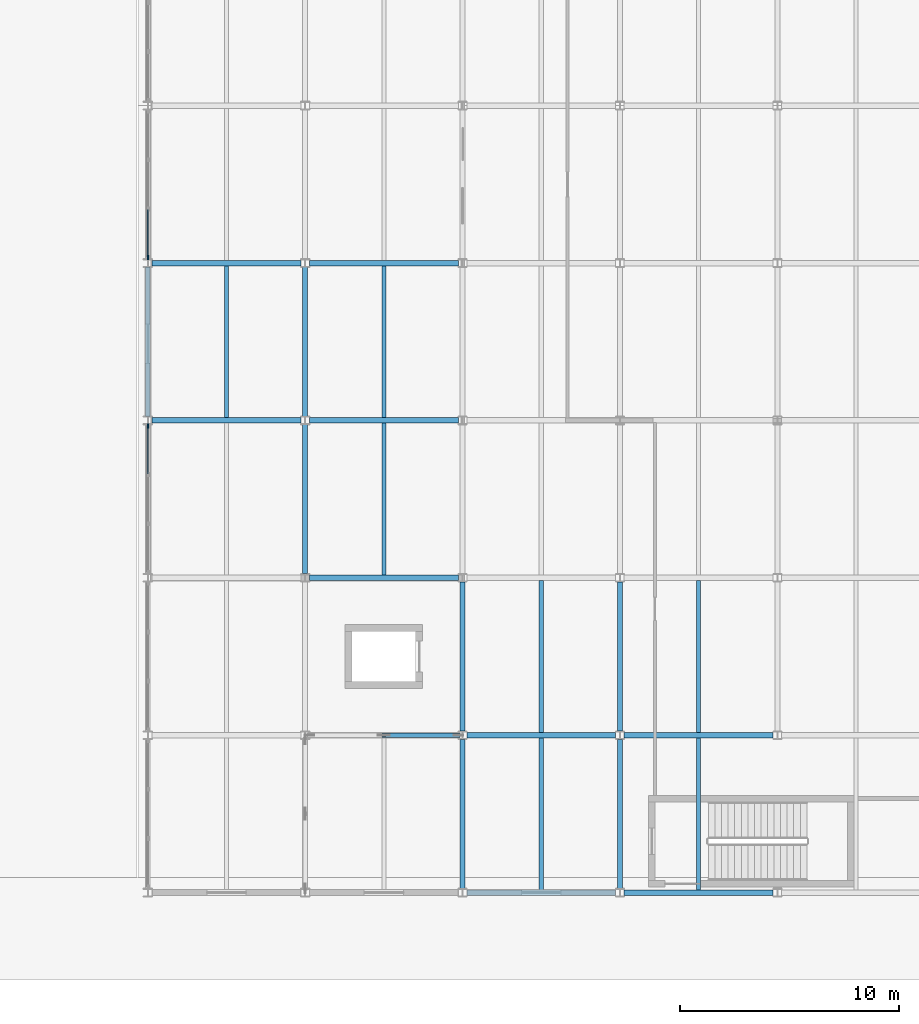
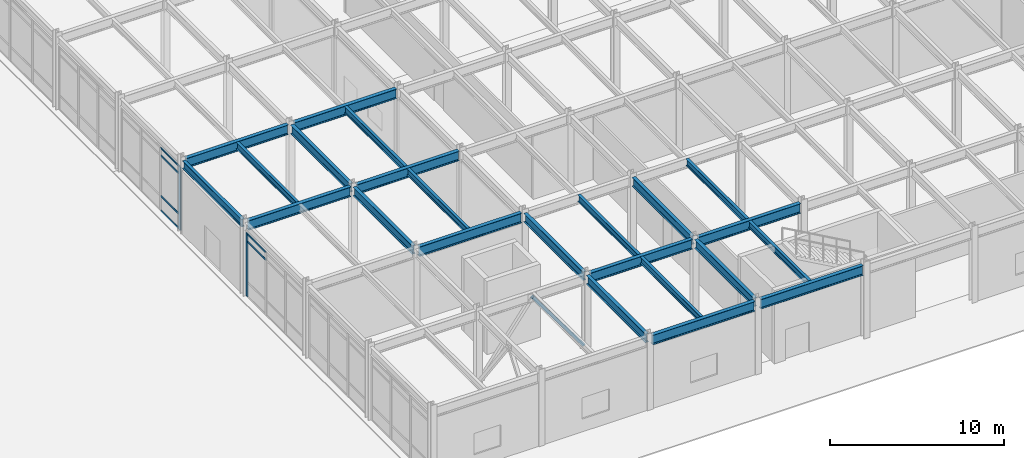
# One storey, part 42 of 104: 23 beams, 9 members, 2 elements without a shape of their own.
"""IFC4 building model written with IfcOpenShell, lengths in metres."""

import ifcopenshell
import ifcopenshell.guid

model = None  # the IFC model being written
_history = None  # IfcOwnerHistory: only IFC2X3 demands one
_inside = {}  # id of a spatial element -> (the spatial element, [elements in it])
_under = {}  # id of a project, library or spatial element -> (it, [spatial elements below it])
_declared = {}  # id of a project -> (the project, [libraries it declares])
_typed = {}  # id of a type object -> (the type object, [elements of that type])
_made_of = {}  # id of a material, layer set ... -> (it, [elements and type objects made of it])


def new_model(schema):
    """Start an empty IFC model of exactly this schema.

    Asked for "IFC4X3", IfcOpenShell would pick the latest addendum, in which some entities
    have other attributes; the version numbers below select the first issue.
    IFC2X3 requires an IfcOwnerHistory on every rooted entity: one is made here for all.
    """
    global model, _history
    if schema == "IFC4X3":
        model = ifcopenshell.file(schema_version=(4, 3, 0, 0))
    else:
        model = ifcopenshell.file(schema=schema)
    _inside.clear()
    _under.clear()
    _declared.clear()
    _typed.clear()
    _made_of.clear()
    _history = None
    if model.schema == "IFC2X3":
        org = make("IfcOrganization", Name="unknown")
        user = make(
            "IfcPersonAndOrganization",
            ThePerson=make("IfcPerson", FamilyName="unknown"),
            TheOrganization=org,
        )
        app = make(
            "IfcApplication",
            ApplicationDeveloper=org,
            Version="unknown",
            ApplicationFullName="unknown",
            ApplicationIdentifier="unknown",
        )
        _history = make(
            "IfcOwnerHistory",
            OwningUser=user,
            OwningApplication=app,
            ChangeAction="ADDED",
            CreationDate=0,
        )
    return model


def make(cls, **values):
    """One entity of the class cls with the attributes given. An attribute that is None is left unset."""
    return model.create_entity(
        cls, **{name: value for name, value in values.items() if value is not None}
    )


def rooted(cls, **values):
    """An entity with a GlobalId (a new one), such as an element, a storey or a relation."""
    return make(cls, GlobalId=ifcopenshell.guid.new(), OwnerHistory=_history, **values)


def si_unit(unit_type, name, prefix=None):
    """IfcSIUnit, for example si_unit("LENGTHUNIT", "METRE", prefix="MILLI")."""
    return make("IfcSIUnit", UnitType=unit_type, Prefix=prefix, Name=name)


def assignment(units):
    """IfcUnitAssignment: the units of a project."""
    return None if units is None else make("IfcUnitAssignment", Units=units)


def point(xyz):
    """IfcCartesianPoint."""
    return None if xyz is None else make("IfcCartesianPoint", Coordinates=xyz)


def direction(xyz):
    """IfcDirection."""
    return None if xyz is None else make("IfcDirection", DirectionRatios=xyz)


def frame(location, z_axis=None, x_axis=None):
    """IfcAxis2Placement3D, a coordinate frame: its origin and axes. An axis left out is left unset."""
    return make(
        "IfcAxis2Placement3D",
        Location=point(location),
        Axis=direction(z_axis),
        RefDirection=direction(x_axis),
    )


def frame_2d(location, x_axis=None):
    """IfcAxis2Placement2D, a coordinate frame in the plane: its origin and x axis."""
    return make(
        "IfcAxis2Placement2D", Location=point(location), RefDirection=direction(x_axis)
    )


def origin():
    """The frame at (0, 0, 0) with its axes left unset."""
    return frame((0.0, 0.0, 0.0))


def origin_2d():
    """The frame at (0, 0) in the plane with its x axis left unset."""
    return frame_2d((0.0, 0.0))


def place(relative_to, where):
    """IfcLocalPlacement: puts the frame where relative to a parent placement (None: the world)."""
    return make(
        "IfcLocalPlacement", PlacementRelTo=relative_to, RelativePlacement=where
    )


def context(
    kind, dimensions, precision=None, world=None, true_north=None, identifier=None
):
    """IfcGeometricRepresentationContext, for example the 3D "Model" context."""
    return make(
        "IfcGeometricRepresentationContext",
        ContextIdentifier=identifier,
        ContextType=kind,
        CoordinateSpaceDimension=dimensions,
        Precision=precision,
        WorldCoordinateSystem=world,
        TrueNorth=true_north,
    )


def subcontext(parent, identifier, kind, view, scale=None):
    """IfcGeometricRepresentationSubContext, for example "Body" below "Model"."""
    return make(
        "IfcGeometricRepresentationSubContext",
        ContextIdentifier=identifier,
        ContextType=kind,
        ParentContext=parent,
        TargetScale=scale,
        TargetView=view,
    )


def project(units=None, contexts=None):
    """IfcProject with its units and contexts."""
    return rooted(
        "IfcProject",
        Name="project",
        RepresentationContexts=contexts,
        UnitsInContext=assignment(units),
    )


def spatial(cls, under=None, at=None, **own):
    """A site, building, storey or space (cls), placed at a placement, below another one or the project."""
    s = rooted(cls, ObjectPlacement=at, **own)
    if under is not None:
        _under.setdefault(under.id(), (under, []))[1].append(s)
    return s


def profile(cls, at=None, kind="AREA", **sizes):
    """A parametric profile (cls). Its sizes go by their IFC names, for example OverallWidth=200.0."""
    return make(cls, ProfileType=kind, Position=at, **sizes)


def rectangle(**sizes):
    """IfcRectangleProfileDef."""
    return profile("IfcRectangleProfileDef", **sizes)


def hollow_rectangle(**sizes):
    """IfcRectangleHollowProfileDef."""
    return profile("IfcRectangleHollowProfileDef", **sizes)


def i_section(**sizes):
    """IfcIShapeProfileDef."""
    return profile("IfcIShapeProfileDef", **sizes)


def extrude(swept, where, along, depth):
    """IfcExtrudedAreaSolid: the profile swept, set in the frame where, extruded along a direction by depth."""
    return make(
        "IfcExtrudedAreaSolid",
        SweptArea=swept,
        Position=where,
        ExtrudedDirection=direction(along),
        Depth=depth,
    )


def shape(context_of_items, identifier, shape_type, items):
    """IfcShapeRepresentation: the items that make up one representation, for example the "Body"."""
    return make(
        "IfcShapeRepresentation",
        ContextOfItems=context_of_items,
        RepresentationIdentifier=identifier,
        RepresentationType=shape_type,
        Items=items,
    )


def material(Name=None, Category=None):
    """IfcMaterial."""
    return make("IfcMaterial", Name=Name, Category=Category)


def material_profile(
    of_material, cross_section, Name=None, Category=None, Priority=None
):
    """IfcMaterialProfile: a cross section and its material."""
    return make(
        "IfcMaterialProfile",
        Name=Name,
        Material=of_material,
        Profile=cross_section,
        Priority=Priority,
        Category=Category,
    )


def profile_set(profiles, Name=None, composite=None):
    """IfcMaterialProfileSet."""
    return make(
        "IfcMaterialProfileSet",
        Name=Name,
        MaterialProfiles=profiles,
        CompositeProfile=composite,
    )


def made_of(thing, what):
    """Note that an element or type object is made of a material, layer set ...; save() writes the relation."""
    if what is not None:
        _made_of.setdefault(what.id(), (what, []))[1].append(thing)
    return thing


def type_object(cls, material=None, **own):
    """A type object (cls), such as IfcWallType, which elements share."""
    return made_of(rooted(cls, **own), material)


def element(
    cls,
    number,
    at=None,
    inside=None,
    cuts=None,
    type_object=None,
    material=None,
    context=None,
    identifier="Body",
    shape_type=None,
    held_by="IfcProductDefinitionShape",
    body=None,
    shapes=None,
    **own,
):
    """One element of the class cls, such as IfcWall. Its Tag is "e" and its number.

    at: its placement. inside: the storey or other place that contains it. cuts: it is an
    opening in that element (IfcRelVoidsElement). A single representation is given by context,
    identifier, shape_type and body (its items); several are given by shapes. held_by: the class
    of the entity that holds the representations. save() writes the other relations.
    """
    e = rooted(cls, Tag="e%d" % number, ObjectPlacement=at, **own)
    if body is not None:
        shapes = [shape(context, identifier, shape_type, body)]
    if shapes is not None:
        e.Representation = make(held_by, Representations=shapes)
    if inside is not None:
        _inside.setdefault(inside.id(), (inside, []))[1].append(e)
    if cuts is not None:
        rooted(
            "IfcRelVoidsElement", RelatingBuildingElement=cuts, RelatedOpeningElement=e
        )
    if type_object is not None:
        _typed.setdefault(type_object.id(), (type_object, []))[1].append(e)
    return made_of(e, material)


def aggregate(whole, parts):
    """IfcRelAggregates: a whole, such as a stair, and the parts it consists of."""
    return rooted("IfcRelAggregates", RelatingObject=whole, RelatedObjects=parts)


def save(model, path):
    """Write the relations noted so far, then the file.

    IfcRelAggregates (storeys below a building ...), IfcRelContainedInSpatialStructure (elements
    in a storey), IfcRelDefinesByType, IfcRelAssociatesMaterial and IfcRelDeclares: one each for
    every whole, place, type object, material and project.
    """
    for whole, parts in _under.values():
        aggregate(whole, parts)
    for where, things in _inside.values():
        rooted(
            "IfcRelContainedInSpatialStructure",
            RelatedElements=things,
            RelatingStructure=where,
        )
    for kind, things in _typed.values():
        rooted("IfcRelDefinesByType", RelatedObjects=things, RelatingType=kind)
    for what, things in _made_of.values():
        rooted("IfcRelAssociatesMaterial", RelatedObjects=things, RelatingMaterial=what)
    for by, libraries in _declared.values():
        rooted("IfcRelDeclares", RelatingContext=by, RelatedDefinitions=libraries)
    model.write(path)


model = new_model("IFC4")

# Units and contexts
model_context = context("Model", 3, precision=1e-05, world=origin(), true_north=direction((0.0, 1.0)))
body_context = subcontext(model_context, "Body", "Model", "MODEL_VIEW")
ifc_project = project(units=[si_unit("LENGTHUNIT", "METRE"), si_unit("AREAUNIT", "SQUARE_METRE"), si_unit("VOLUMEUNIT", "CUBIC_METRE"), si_unit("PLANEANGLEUNIT", "RADIAN"), si_unit("MASSUNIT", "GRAM", prefix="KILO")], contexts=[model_context])

# Site, building, storey
site_placement = place(None, origin())
site = spatial("IfcSite", under=ifc_project, at=site_placement, CompositionType="ELEMENT")
building_placement = place(site_placement, origin())
building = spatial("IfcBuilding", under=site, at=building_placement, Name="Vaelcorin Mobility Hub", CompositionType="ELEMENT")
storey_placement = place(building_placement, origin())
storey = spatial("IfcBuildingStorey", under=building, at=storey_placement, Name="L00", CompositionType="ELEMENT", Elevation=0.0)

# Beams
ifc_material_1 = material(Name="Steel ASTM A992 Grade 50", Category="steel")
ifc_material_profile_1 = material_profile(ifc_material_1, i_section(OverallWidth=0.19091796875, OverallDepth=0.4599609375, WebThickness=0.010009765625, FlangeThickness=0.01611328125, FilletRadius=0.012939453125, at=origin_2d()), Name="W18X55")
ifc_profile_set_1 = profile_set([ifc_material_profile_1], Name="Steel ASTM A992 Grade 50")
beam_type_1 = type_object("IfcBeamType", Name="BM-W18X55", PredefinedType="JOIST", material=ifc_profile_set_1)
beam_1_placement = place(storey_placement, frame((157.199951171875, 27.72509765625, 4.909912109375), z_axis=(0.0, 1.0, 0.0), x_axis=(-1.0, 0.0, 0.0)))
element("IfcBeam", 1, at=beam_1_placement, inside=storey, type_object=beam_type_1, Name="L00 Beam V5-L00-J-01-04-1", PredefinedType="JOIST", context=body_context, shape_type="SweptSolid", body=[
    extrude(i_section(OverallWidth=0.19091796875, OverallDepth=0.4599609375, WebThickness=0.010009765625, FlangeThickness=0.01611328125, FilletRadius=0.012939453125, at=origin_2d()), origin(), (0.0, 0.0, 1.0), 6.949951171875),
])
beam_2_placement = place(storey_placement, frame((164.39990234375, 20.52490234375, 4.909912109375), z_axis=(0.0, 1.0, 0.0), x_axis=(-1.0, 0.0, 0.0)))
element("IfcBeam", 2, at=beam_2_placement, inside=storey, type_object=beam_type_1, Name="L00 Beam V5-L00-J-02-03-1", PredefinedType="JOIST", context=body_context, shape_type="SweptSolid", body=[
    extrude(i_section(OverallWidth=0.19091796875, OverallDepth=0.4599609375, WebThickness=0.010009765625, FlangeThickness=0.01611328125, FilletRadius=0.012939453125, at=origin_2d()), origin(), (0.0, 0.0, 1.0), 6.9501953125),
])
for number, where, z_axis, x_axis, name in (
    (3, (164.39990234375, 27.72509765625, 4.909912109375), (0.0, 1.0, 0.0), (-1.0, 0.0, 0.0), "L00 Beam V5-L00-J-02-04-1"),
    (4, (171.60009765625, 6.125, 4.909912109375), (0.0, 1.0, 0.0), (-1.0, 0.0, 0.0), "L00 Beam V5-L00-J-03-01-1"),
    (5, (171.60009765625, 13.324951171875, 4.909912109375), (0.0, 1.0, 0.0), (-1.0, 0.0, 0.0), "L00 Beam V5-L00-J-03-02-1"),
    (6, (178.800048828125, 6.125, 4.909912109375), (0.0, 1.0, 0.0), (-1.0, 0.0, 0.0), "L00 Beam V5-L00-J-04-01-1"),
    (7, (178.800048828125, 13.324951171875, 4.909912109375), (0.0, 1.0, 0.0), (-1.0, 0.0, 0.0), "L00 Beam V5-L00-J-04-02-1"),
):
    element("IfcBeam", number, at=place(storey_placement, frame(where, z_axis=z_axis, x_axis=x_axis)), inside=storey, type_object=beam_type_1, Name=name, PredefinedType="JOIST", context=body_context, shape_type="SweptSolid", body=[
        extrude(i_section(OverallWidth=0.19091796875, OverallDepth=0.4599609375, WebThickness=0.010009765625, FlangeThickness=0.01611328125, FilletRadius=0.012939453125, at=origin_2d()), origin(), (0.0, 0.0, 1.0), 6.949951171875),
    ])
ifc_material_profile_2 = material_profile(ifc_material_1, i_section(OverallWidth=0.2099609375, OverallDepth=0.535888671875, WebThickness=0.010986328125, FlangeThickness=0.017333984375, FilletRadius=0.013916015625, at=origin_2d()), Name="W21X68")
ifc_profile_set_2 = profile_set([ifc_material_profile_2], Name="Steel ASTM A992 Grade 50")
beam_type_2 = type_object("IfcBeamType", Name="BM-W21X68", PredefinedType="SPANDREL", material=ifc_profile_set_2)
beam_3_placement = place(storey_placement, frame((153.60009765625, 27.7890625, 4.8720703125), z_axis=(0.0, 1.0, 0.0), x_axis=(-1.0, 0.0, 0.0)))
element("IfcBeam", 8, at=beam_3_placement, inside=storey, type_object=beam_type_2, Name="L00 Beam V5-L00-GY-01-04", PredefinedType="SPANDREL", context=body_context, shape_type="SweptSolid", body=[
    extrude(i_section(OverallWidth=0.2099609375, OverallDepth=0.535888671875, WebThickness=0.010986328125, FlangeThickness=0.017333984375, FilletRadius=0.013916015625, at=origin_2d()), origin(), (0.0, 0.0, 1.0), 6.822998046875),
])
ifc_material_profile_3 = material_profile(ifc_material_1, i_section(OverallWidth=0.22900390625, OverallDepth=0.612060546875, WebThickness=0.011962890625, FlangeThickness=0.01953125, FilletRadius=0.014892578125, at=origin_2d()), Name="W24X84")
ifc_profile_set_3 = profile_set([ifc_material_profile_3], Name="Steel ASTM A992 Grade 50")
beam_type_3 = type_object("IfcBeamType", Name="BM-W24X84", PredefinedType="BEAM", material=ifc_profile_set_3)
beam_4_placement = place(storey_placement, frame((160.800048828125, 20.587890625, 4.833984375), z_axis=(0.0, 1.0, 0.0), x_axis=(-1.0, 0.0, 0.0)))
element("IfcBeam", 9, at=beam_4_placement, inside=storey, type_object=beam_type_3, Name="L00 Beam V5-L00-GY-02-03", PredefinedType="BEAM", context=body_context, shape_type="SweptSolid", body=[
    extrude(i_section(OverallWidth=0.22900390625, OverallDepth=0.612060546875, WebThickness=0.011962890625, FlangeThickness=0.01953125, FilletRadius=0.014892578125, at=origin_2d()), origin(), (0.0, 0.0, 1.0), 6.82421875),
])
beam_5_placement = place(storey_placement, frame((160.800048828125, 27.7890625, 4.833984375), z_axis=(0.0, 1.0, 0.0), x_axis=(-1.0, 0.0, 0.0)))
element("IfcBeam", 10, at=beam_5_placement, inside=storey, type_object=beam_type_3, Name="L00 Beam V5-L00-GY-02-04", PredefinedType="BEAM", context=body_context, shape_type="SweptSolid", body=[
    extrude(i_section(OverallWidth=0.22900390625, OverallDepth=0.612060546875, WebThickness=0.011962890625, FlangeThickness=0.01953125, FilletRadius=0.014892578125, at=origin_2d()), origin(), (0.0, 0.0, 1.0), 6.822998046875),
])
beam_6_placement = place(storey_placement, frame((168.0, 6.18798828125, 4.833984375), z_axis=(0.0, 1.0, 0.0), x_axis=(-1.0, 0.0, 0.0)))
element("IfcBeam", 11, at=beam_6_placement, inside=storey, type_object=beam_type_3, Name="L00 Beam V5-L00-GY-03-01", PredefinedType="BEAM", context=body_context, shape_type="SweptSolid", body=[
    extrude(i_section(OverallWidth=0.22900390625, OverallDepth=0.612060546875, WebThickness=0.011962890625, FlangeThickness=0.01953125, FilletRadius=0.014892578125, at=origin_2d()), origin(), (0.0, 0.0, 1.0), 6.823974609375),
])
beam_7_placement = place(storey_placement, frame((168.0, 13.387939453125, 4.833984375), z_axis=(0.0, 1.0, 0.0), x_axis=(-1.0, 0.0, 0.0)))
element("IfcBeam", 12, at=beam_7_placement, inside=storey, type_object=beam_type_3, Name="L00 Beam V5-L00-GY-03-02", PredefinedType="BEAM", context=body_context, shape_type="SweptSolid", body=[
    extrude(i_section(OverallWidth=0.22900390625, OverallDepth=0.612060546875, WebThickness=0.011962890625, FlangeThickness=0.01953125, FilletRadius=0.014892578125, at=origin_2d()), origin(), (0.0, 0.0, 1.0), 6.822998046875),
])
beam_8_placement = place(storey_placement, frame((175.199951171875, 6.18798828125, 4.833984375), z_axis=(0.0, 1.0, 0.0), x_axis=(-1.0, 0.0, 0.0)))
element("IfcBeam", 13, at=beam_8_placement, inside=storey, type_object=beam_type_3, Name="L00 Beam V5-L00-GY-04-01", PredefinedType="BEAM", context=body_context, shape_type="SweptSolid", body=[
    extrude(i_section(OverallWidth=0.22900390625, OverallDepth=0.612060546875, WebThickness=0.011962890625, FlangeThickness=0.01953125, FilletRadius=0.014892578125, at=origin_2d()), origin(), (0.0, 0.0, 1.0), 6.823974609375),
])
beam_9_placement = place(storey_placement, frame((175.199951171875, 13.387939453125, 4.833984375), z_axis=(0.0, 1.0, 0.0), x_axis=(-1.0, 0.0, 0.0)))
element("IfcBeam", 14, at=beam_9_placement, inside=storey, type_object=beam_type_3, Name="L00 Beam V5-L00-GY-04-02", PredefinedType="BEAM", context=body_context, shape_type="SweptSolid", body=[
    extrude(i_section(OverallWidth=0.22900390625, OverallDepth=0.612060546875, WebThickness=0.011962890625, FlangeThickness=0.01953125, FilletRadius=0.014892578125, at=origin_2d()), origin(), (0.0, 0.0, 1.0), 6.822998046875),
])
ifc_material_profile_4 = material_profile(ifc_material_1, i_section(OverallWidth=0.25390625, OverallDepth=0.68310546875, WebThickness=0.012451171875, FlangeThickness=0.018798828125, FilletRadius=0.01611328125, at=origin_2d()), Name="W27X94")
ifc_profile_set_4 = profile_set([ifc_material_profile_4], Name="Steel ASTM A992 Grade 50")
beam_type_4 = type_object("IfcBeamType", Name="BM-W27X94", PredefinedType="BEAM", material=ifc_profile_set_4)
beam_10_placement = place(storey_placement, frame((168.196044921875, 6.0, 4.798095703125), z_axis=(1.0, 0.0, 0.0), x_axis=(0.0, 1.0, 0.0)))
element("IfcBeam", 15, at=beam_10_placement, inside=storey, type_object=beam_type_4, Name="L00 Beam V5-L00-GX-01-03", PredefinedType="BEAM", context=body_context, shape_type="SweptSolid", body=[
    extrude(i_section(OverallWidth=0.25390625, OverallDepth=0.68310546875, WebThickness=0.012451171875, FlangeThickness=0.018798828125, FilletRadius=0.01611328125, at=origin_2d()), origin(), (0.0, 0.0, 1.0), 6.807861328125),
])
beam_11_placement = place(storey_placement, frame((175.39599609375, 6.0, 4.798095703125), z_axis=(1.0, 0.0, 0.0), x_axis=(0.0, 1.0, 0.0)))
element("IfcBeam", 16, at=beam_11_placement, inside=storey, type_object=beam_type_4, Name="L00 Beam V5-L00-GX-01-04", PredefinedType="BEAM", context=body_context, shape_type="SweptSolid", body=[
    extrude(i_section(OverallWidth=0.25390625, OverallDepth=0.68310546875, WebThickness=0.012451171875, FlangeThickness=0.018798828125, FilletRadius=0.01611328125, at=origin_2d()), origin(), (0.0, 0.0, 1.0), 6.80810546875),
])
beam_12_placement = place(storey_placement, frame((168.196044921875, 13.199951171875, 4.798095703125), z_axis=(1.0, 0.0, 0.0), x_axis=(0.0, 1.0, 0.0)))
element("IfcBeam", 17, at=beam_12_placement, inside=storey, type_object=beam_type_4, Name="L00 Beam V5-L00-GX-02-03", PredefinedType="BEAM", context=body_context, shape_type="SweptSolid", body=[
    extrude(i_section(OverallWidth=0.25390625, OverallDepth=0.68310546875, WebThickness=0.012451171875, FlangeThickness=0.018798828125, FilletRadius=0.01611328125, at=origin_2d()), origin(), (0.0, 0.0, 1.0), 6.807861328125),
])
beam_13_placement = place(storey_placement, frame((175.39599609375, 13.199951171875, 4.798095703125), z_axis=(1.0, 0.0, 0.0), x_axis=(0.0, 1.0, 0.0)))
element("IfcBeam", 18, at=beam_13_placement, inside=storey, type_object=beam_type_4, Name="L00 Beam V5-L00-GX-02-04", PredefinedType="BEAM", context=body_context, shape_type="SweptSolid", body=[
    extrude(i_section(OverallWidth=0.25390625, OverallDepth=0.68310546875, WebThickness=0.012451171875, FlangeThickness=0.018798828125, FilletRadius=0.01611328125, at=origin_2d()), origin(), (0.0, 0.0, 1.0), 6.80810546875),
])
beam_14_placement = place(storey_placement, frame((160.99609375, 20.39990234375, 4.798095703125), z_axis=(1.0, 0.0, 0.0), x_axis=(0.0, 1.0, 0.0)))
element("IfcBeam", 19, at=beam_14_placement, inside=storey, type_object=beam_type_4, Name="L00 Beam V5-L00-GX-03-02", PredefinedType="BEAM", context=body_context, shape_type="SweptSolid", body=[
    extrude(i_section(OverallWidth=0.25390625, OverallDepth=0.68310546875, WebThickness=0.012451171875, FlangeThickness=0.018798828125, FilletRadius=0.01611328125, at=origin_2d()), origin(), (0.0, 0.0, 1.0), 6.807861328125),
])
beam_15_placement = place(storey_placement, frame((153.7958984375, 27.60009765625, 4.798095703125), z_axis=(1.0, 0.0, 0.0), x_axis=(0.0, 1.0, 0.0)))
element("IfcBeam", 20, at=beam_15_placement, inside=storey, type_object=beam_type_4, Name="L00 Beam V5-L00-GX-04-01", PredefinedType="BEAM", context=body_context, shape_type="SweptSolid", body=[
    extrude(i_section(OverallWidth=0.25390625, OverallDepth=0.68310546875, WebThickness=0.012451171875, FlangeThickness=0.018798828125, FilletRadius=0.01611328125, at=origin_2d()), origin(), (0.0, 0.0, 1.0), 6.80810546875),
])
beam_16_placement = place(storey_placement, frame((160.99609375, 27.60009765625, 4.798095703125), z_axis=(1.0, 0.0, 0.0), x_axis=(0.0, 1.0, 0.0)))
element("IfcBeam", 21, at=beam_16_placement, inside=storey, type_object=beam_type_4, Name="L00 Beam V5-L00-GX-04-02", PredefinedType="BEAM", context=body_context, shape_type="SweptSolid", body=[
    extrude(i_section(OverallWidth=0.25390625, OverallDepth=0.68310546875, WebThickness=0.012451171875, FlangeThickness=0.018798828125, FilletRadius=0.01611328125, at=origin_2d()), origin(), (0.0, 0.0, 1.0), 6.807861328125),
])
beam_17_placement = place(storey_placement, frame((153.7958984375, 34.800048828125, 4.798095703125), z_axis=(1.0, 0.0, 0.0), x_axis=(0.0, 1.0, 0.0)))
element("IfcBeam", 22, at=beam_17_placement, inside=storey, type_object=beam_type_4, Name="L00 Beam V5-L00-GX-05-01", PredefinedType="BEAM", context=body_context, shape_type="SweptSolid", body=[
    extrude(i_section(OverallWidth=0.25390625, OverallDepth=0.68310546875, WebThickness=0.012451171875, FlangeThickness=0.018798828125, FilletRadius=0.01611328125, at=origin_2d()), origin(), (0.0, 0.0, 1.0), 6.80810546875),
])
beam_18_placement = place(storey_placement, frame((160.99609375, 34.800048828125, 4.798095703125), z_axis=(1.0, 0.0, 0.0), x_axis=(0.0, 1.0, 0.0)))
element("IfcBeam", 23, at=beam_18_placement, inside=storey, type_object=beam_type_4, Name="L00 Beam V5-L00-GX-05-02", PredefinedType="BEAM", context=body_context, shape_type="SweptSolid", body=[
    extrude(i_section(OverallWidth=0.25390625, OverallDepth=0.68310546875, WebThickness=0.012451171875, FlangeThickness=0.018798828125, FilletRadius=0.01611328125, at=origin_2d()), origin(), (0.0, 0.0, 1.0), 6.807861328125),
])

# Member
ifc_material_2 = material(Name="Steel ASTM A500 Grade C", Category="steel")
ifc_material_profile_5 = material_profile(ifc_material_2, hollow_rectangle(XDim=0.203125, YDim=0.203125, WallThickness=0.01171875, at=origin_2d()), Name="HSS8X8X0.500")
ifc_profile_set_5 = profile_set([ifc_material_profile_5], Name="Steel ASTM A500 Grade C")
member_type_1 = type_object("IfcMemberType", Name="BR-SCBF-8X8", PredefinedType="BRACE", material=ifc_profile_set_5)
member_1_placement = place(storey_placement, frame((167.81005859375, 13.199951171875, 0.179931640625), z_axis=(-0.598045829922, 0.0, 0.801461905091), x_axis=(0.0, -1.0, 0.0)))
element("IfcMember", 24, at=member_1_placement, inside=storey, type_object=member_type_1, Name="SCBF Chevron Brace V5-BX1-L00-B", PredefinedType="BRACE", context=body_context, shape_type="SweptSolid", body=[
    extrude(hollow_rectangle(XDim=0.203125, YDim=0.203125, WallThickness=0.01171875, at=origin_2d()), origin(), (0.0, 0.0, 1.0), 5.7021484375),
])

# Curtain wall, member
ifc_material_3 = material(Name="Anodised aluminium 6063-T6", Category="aluminium")
curtain_wall_type = type_object("IfcCurtainWallType", Name="CW-MOB-A", PredefinedType="NOTDEFINED", material=ifc_material_3)
curtain_wall_1_placement = place(storey_placement, origin())
curtain_wall_1 = element("IfcCurtainWall", 25, at=curtain_wall_1_placement, inside=storey, type_object=curtain_wall_type, Name="L00 Curtain Wall CW-V5-L00-WS-03", PredefinedType="NOTDEFINED")
ifc_material_profile_6 = material_profile(ifc_material_3, rectangle(XDim=0.070068359375, YDim=0.199951171875, at=origin_2d()), Name="ALU-M70X200")
ifc_profile_set_6 = profile_set([ifc_material_profile_6], Name="Anodised aluminium 6063-T6")
member_type_2 = type_object("IfcMemberType", Name="CW-MULL-200", PredefinedType="MULLION", material=ifc_profile_set_6)
member_2_placement = place(storey_placement, frame((153.60009765625, 27.35009765625, 0.0), z_axis=(0.0, 0.0, 1.0), x_axis=(-1.0, 0.0, 0.0)))
member_2 = element("IfcMember", 26, at=member_2_placement, type_object=member_type_2, Name="CW7 mullion 4", PredefinedType="MULLION", context=body_context, shape_type="SweptSolid", body=[
    extrude(rectangle(XDim=0.070068359375, YDim=0.199951171875, at=origin_2d()), origin(), (0.0, 0.0, 1.0), 4.44189453125),
])

curtain_wall_2_placement = place(storey_placement, origin())
curtain_wall_2 = element("IfcCurtainWall", 27, at=curtain_wall_2_placement, inside=storey, type_object=curtain_wall_type, Name="L00 Curtain Wall CW-V5-L00-WS-05", PredefinedType="NOTDEFINED")
member_3_placement = place(storey_placement, frame((153.60009765625, 35.050048828125, 0.0), z_axis=(0.0, 0.0, 1.0), x_axis=(-1.0, 0.0, 0.0)))
member_3 = element("IfcMember", 28, at=member_3_placement, type_object=member_type_2, Name="CW7 mullion 1", PredefinedType="MULLION", context=body_context, shape_type="SweptSolid", body=[
    extrude(rectangle(XDim=0.070068359375, YDim=0.199951171875, at=origin_2d()), origin(), (0.0, 0.0, 1.0), 4.44189453125),
])

# Member
ifc_material_profile_7 = material_profile(ifc_material_3, rectangle(XDim=0.06005859375, YDim=0.1201171875, at=origin_2d()), Name="ALU-T60X120")
ifc_profile_set_7 = profile_set([ifc_material_profile_7], Name="Anodised aluminium 6063-T6")
member_type_3 = type_object("IfcMemberType", Name="CW-TRAN-140", PredefinedType="USERDEFINED", material=ifc_profile_set_7)
member_4_placement = place(storey_placement, frame((153.60009765625, 25.15673828125, 3.89208984375), z_axis=(0.0, 1.0, 0.0), x_axis=(-1.0, 0.0, 0.0)))
member_4 = element("IfcMember", 29, at=member_4_placement, type_object=member_type_3, Name="CW7 transom 3.3", ObjectType="TRANSOM", PredefinedType="USERDEFINED", context=body_context, shape_type="SweptSolid", body=[
    extrude(rectangle(XDim=0.06005859375, YDim=0.1201171875, at=origin_2d()), origin(), (0.0, 0.0, 1.0), 2.163330078125),
])

member_5_placement = place(storey_placement, frame((153.60009765625, 25.15673828125, 4.412109375), z_axis=(0.0, 1.0, 0.0), x_axis=(-1.0, 0.0, 0.0)))
member_5 = element("IfcMember", 30, at=member_5_placement, type_object=member_type_3, Name="CW7 transom 3.4", ObjectType="TRANSOM", PredefinedType="USERDEFINED", context=body_context, shape_type="SweptSolid", body=[
    extrude(rectangle(XDim=0.06005859375, YDim=0.1201171875, at=origin_2d()), origin(), (0.0, 0.0, 1.0), 2.163330078125),
])

aggregate(curtain_wall_1, [member_2, member_4, member_5])

member_6_placement = place(storey_placement, frame((153.60009765625, 35.080078125, 0.030029296875), z_axis=(0.0, 1.0, 0.0), x_axis=(-1.0, 0.0, 0.0)))
member_6 = element("IfcMember", 31, at=member_6_placement, type_object=member_type_3, Name="CW7 transom 1.1", ObjectType="TRANSOM", PredefinedType="USERDEFINED", context=body_context, shape_type="SweptSolid", body=[
    extrude(rectangle(XDim=0.06005859375, YDim=0.1201171875, at=origin_2d()), origin(), (0.0, 0.0, 1.0), 2.163330078125),
])

member_7_placement = place(storey_placement, frame((153.60009765625, 35.080078125, 1.050048828125), z_axis=(0.0, 1.0, 0.0), x_axis=(-1.0, 0.0, 0.0)))
member_7 = element("IfcMember", 32, at=member_7_placement, type_object=member_type_3, Name="CW7 transom 1.2", ObjectType="TRANSOM", PredefinedType="USERDEFINED", context=body_context, shape_type="SweptSolid", body=[
    extrude(rectangle(XDim=0.06005859375, YDim=0.1201171875, at=origin_2d()), origin(), (0.0, 0.0, 1.0), 2.163330078125),
])

member_8_placement = place(storey_placement, frame((153.60009765625, 35.080078125, 3.89208984375), z_axis=(0.0, 1.0, 0.0), x_axis=(-1.0, 0.0, 0.0)))
member_8 = element("IfcMember", 33, at=member_8_placement, type_object=member_type_3, Name="CW7 transom 1.3", ObjectType="TRANSOM", PredefinedType="USERDEFINED", context=body_context, shape_type="SweptSolid", body=[
    extrude(rectangle(XDim=0.06005859375, YDim=0.1201171875, at=origin_2d()), origin(), (0.0, 0.0, 1.0), 2.163330078125),
])

member_9_placement = place(storey_placement, frame((153.60009765625, 35.080078125, 4.412109375), z_axis=(0.0, 1.0, 0.0), x_axis=(-1.0, 0.0, 0.0)))
member_9 = element("IfcMember", 34, at=member_9_placement, type_object=member_type_3, Name="CW7 transom 1.4", ObjectType="TRANSOM", PredefinedType="USERDEFINED", context=body_context, shape_type="SweptSolid", body=[
    extrude(rectangle(XDim=0.06005859375, YDim=0.1201171875, at=origin_2d()), origin(), (0.0, 0.0, 1.0), 2.163330078125),
])

aggregate(curtain_wall_2, [member_3, member_6, member_7, member_8, member_9])

save(model, "model.ifc")
